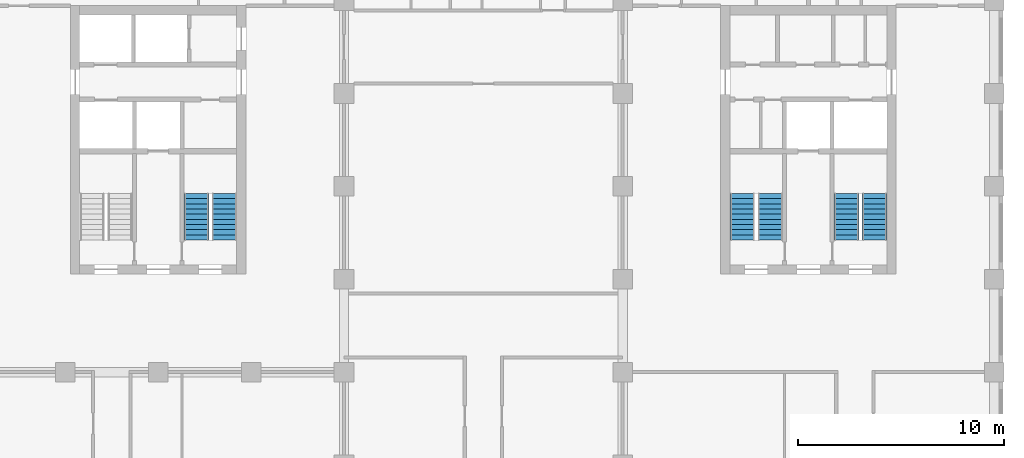
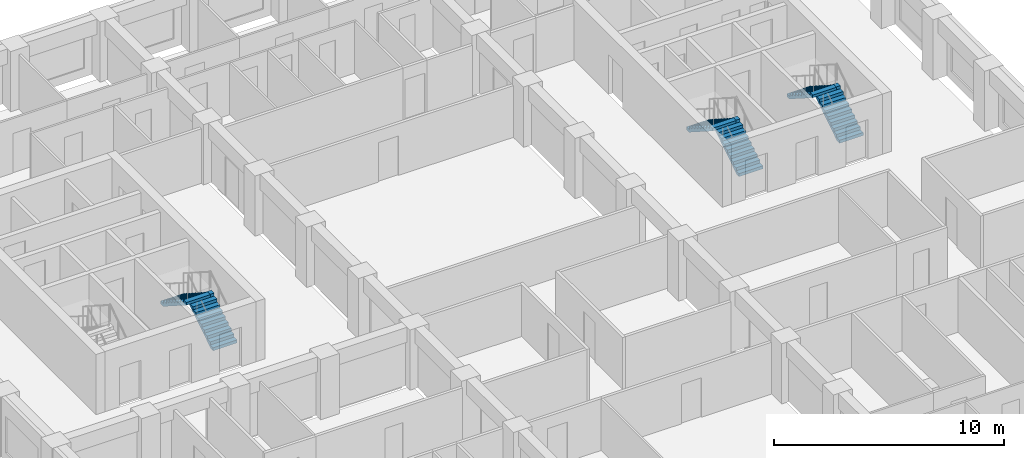
# One storey, part 10 of 13: 6 stair flights, 3 elements without a shape of their own.
"""IFC4 building model written with IfcOpenShell, lengths in metres."""

from ifc_helpers import new_model, si_unit, direction, frame, origin, place, context, subcontext, project, spatial, polyline, outline, extrude, material, type_object, element, aggregate, save


model = new_model("IFC4")

# Units and contexts
model_context = context("Model", 3, precision=1e-05, world=origin(), true_north=direction((0.0, 1.0)))
body_context = subcontext(model_context, "Body", "Model", "MODEL_VIEW")
ifc_project = project(units=[si_unit("LENGTHUNIT", "METRE"), si_unit("AREAUNIT", "SQUARE_METRE"), si_unit("VOLUMEUNIT", "CUBIC_METRE"), si_unit("PLANEANGLEUNIT", "RADIAN"), si_unit("MASSUNIT", "GRAM", prefix="KILO")], contexts=[model_context])

# Site, building, storey
site_placement = place(None, origin())
site = spatial("IfcSite", under=ifc_project, at=site_placement, CompositionType="ELEMENT")
building_placement = place(site_placement, origin())
building = spatial("IfcBuilding", under=site, at=building_placement, Name="Girih Gate Residences", CompositionType="ELEMENT")
storey_placement = place(building_placement, frame((0.0, 0.0, 136.60009765625)))
storey = spatial("IfcBuildingStorey", under=building, at=storey_placement, Name="L38", CompositionType="ELEMENT", Elevation=136.60009765625)

# Stair, stair flights
ifc_material = material(Name="Concrete C40/50", Category="concrete")
stair_type = type_object("IfcStairType", Name="Exit stair", PredefinedType="HALF_TURN_STAIR", material=ifc_material)
stair_1_placement = place(storey_placement, origin())
stair_1 = element("IfcStair", 1, at=stair_1_placement, inside=storey, type_object=stair_type, Name="L38 Exit Stair ST-W2", PredefinedType="HALF_TURN_STAIR")
stair_flight_type = type_object("IfcStairFlightType", Name="Stair flight 1200", PredefinedType="STRAIGHT", material=ifc_material)
stair_flight_1_placement = place(storey_placement, frame((12.199951171875, 28.89990234375, 0.0), z_axis=(0.0, 0.0, 1.0), x_axis=(0.0, 1.0, 0.0)))
stair_flight_1 = element("IfcStairFlight", 2, at=stair_flight_1_placement, type_object=stair_flight_type, Name="ST-W2 flight 1", NumberOfRisers=10, NumberOfTreads=9, PredefinedType="STRAIGHT", RiserHeight=0.16, TreadLength=0.25, context=body_context, shape_type="SweptSolid", body=[
    extrude(outline(polyline([(0.0, 0.0), (0.0, 0.159912109375), (0.25, 0.159912109375), (0.25, 0.320068359375), (0.5, 0.320068359375), (0.5, 0.47998046875), (0.75, 0.47998046875), (0.75, 0.639892578125), (1.0, 0.639892578125), (1.0, 0.800048828125), (1.25, 0.800048828125), (1.25, 0.9599609375), (1.5, 0.9599609375), (1.5, 1.1201171875), (1.75, 1.1201171875), (1.75, 1.280029296875), (2.0, 1.280029296875), (2.0, 1.43994140625), (2.25, 1.43994140625), (2.25, 1.60009765625), (2.25, 1.29736328125), (0.222900390625, 0.0), (0.0, 0.0)])), frame((0.0, 0.60009765625, 0.0), z_axis=(0.0, -1.0, 0.0), x_axis=(1.0, 0.0, 0.0)), (0.0, 0.0, 1.0), 1.199951171875),
])
stair_flight_2_placement = place(storey_placement, frame((10.85009765625, 31.14990234375, 1.599853515625), z_axis=(0.0, 0.0, 1.0), x_axis=(0.0, -1.0, 0.0)))
stair_flight_2 = element("IfcStairFlight", 3, at=stair_flight_2_placement, type_object=stair_flight_type, Name="ST-W2 flight 2", NumberOfRisers=10, NumberOfTreads=9, PredefinedType="STRAIGHT", RiserHeight=0.16, TreadLength=0.25, context=body_context, shape_type="SweptSolid", body=[
    extrude(outline(polyline([(0.0, 0.0), (0.0, 0.159912109375), (0.25, 0.159912109375), (0.25, 0.320068359375), (0.5, 0.320068359375), (0.5, 0.47998046875), (0.75, 0.47998046875), (0.75, 0.639892578125), (1.0, 0.639892578125), (1.0, 0.800048828125), (1.25, 0.800048828125), (1.25, 0.9599609375), (1.5, 0.9599609375), (1.5, 1.1201171875), (1.75, 1.1201171875), (1.75, 1.280029296875), (2.0, 1.280029296875), (2.0, 1.43994140625), (2.25, 1.43994140625), (2.25, 1.60009765625), (2.25, 1.29736328125), (0.222900390625, 0.0), (0.0, 0.0)])), frame((0.0, 0.60009765625, 0.0), z_axis=(0.0, -1.0, 0.0), x_axis=(1.0, 0.0, 0.0)), (0.0, 0.0, 1.0), 1.199951171875),
])
aggregate(stair_1, [stair_flight_1, stair_flight_2])

stair_2_placement = place(storey_placement, origin())
stair_2 = element("IfcStair", 4, at=stair_2_placement, inside=storey, type_object=stair_type, Name="L38 Exit Stair ST-E1", PredefinedType="HALF_TURN_STAIR")
stair_flight_3_placement = place(storey_placement, frame((43.699951171875, 28.89990234375, 0.0), z_axis=(0.0, 0.0, 1.0), x_axis=(0.0, 1.0, 0.0)))
stair_flight_3 = element("IfcStairFlight", 5, at=stair_flight_3_placement, type_object=stair_flight_type, Name="ST-E1 flight 1", NumberOfRisers=10, NumberOfTreads=9, PredefinedType="STRAIGHT", RiserHeight=0.16, TreadLength=0.25, context=body_context, shape_type="SweptSolid", body=[
    extrude(outline(polyline([(0.0, 0.0), (0.0, 0.159912109375), (0.25, 0.159912109375), (0.25, 0.320068359375), (0.5, 0.320068359375), (0.5, 0.47998046875), (0.75, 0.47998046875), (0.75, 0.639892578125), (1.0, 0.639892578125), (1.0, 0.800048828125), (1.25, 0.800048828125), (1.25, 0.9599609375), (1.5, 0.9599609375), (1.5, 1.1201171875), (1.75, 1.1201171875), (1.75, 1.280029296875), (2.0, 1.280029296875), (2.0, 1.43994140625), (2.25, 1.43994140625), (2.25, 1.60009765625), (2.25, 1.29736328125), (0.222900390625, 0.0), (0.0, 0.0)])), frame((0.0, 0.60009765625, 0.0), z_axis=(0.0, -1.0, 0.0), x_axis=(1.0, 0.0, 0.0)), (0.0, 0.0, 1.0), 1.199951171875),
])
stair_flight_4_placement = place(storey_placement, frame((42.35009765625, 31.14990234375, 1.599853515625), z_axis=(0.0, 0.0, 1.0), x_axis=(0.0, -1.0, 0.0)))
stair_flight_4 = element("IfcStairFlight", 6, at=stair_flight_4_placement, type_object=stair_flight_type, Name="ST-E1 flight 2", NumberOfRisers=10, NumberOfTreads=9, PredefinedType="STRAIGHT", RiserHeight=0.16, TreadLength=0.25, context=body_context, shape_type="SweptSolid", body=[
    extrude(outline(polyline([(0.0, 0.0), (0.0, 0.159912109375), (0.25, 0.159912109375), (0.25, 0.320068359375), (0.5, 0.320068359375), (0.5, 0.47998046875), (0.75, 0.47998046875), (0.75, 0.639892578125), (1.0, 0.639892578125), (1.0, 0.800048828125), (1.25, 0.800048828125), (1.25, 0.9599609375), (1.5, 0.9599609375), (1.5, 1.1201171875), (1.75, 1.1201171875), (1.75, 1.280029296875), (2.0, 1.280029296875), (2.0, 1.43994140625), (2.25, 1.43994140625), (2.25, 1.60009765625), (2.25, 1.29736328125), (0.222900390625, 0.0), (0.0, 0.0)])), frame((0.0, 0.60009765625, 0.0), z_axis=(0.0, -1.0, 0.0), x_axis=(1.0, 0.0, 0.0)), (0.0, 0.0, 1.0), 1.199951171875),
])
aggregate(stair_2, [stair_flight_3, stair_flight_4])

stair_3_placement = place(storey_placement, origin())
stair_3 = element("IfcStair", 7, at=stair_3_placement, inside=storey, type_object=stair_type, Name="L38 Exit Stair ST-E2", PredefinedType="HALF_TURN_STAIR")
stair_flight_5_placement = place(storey_placement, frame((38.64990234375, 28.89990234375, 0.0), z_axis=(0.0, 0.0, 1.0), x_axis=(0.0, 1.0, 0.0)))
stair_flight_5 = element("IfcStairFlight", 8, at=stair_flight_5_placement, type_object=stair_flight_type, Name="ST-E2 flight 1", NumberOfRisers=10, NumberOfTreads=9, PredefinedType="STRAIGHT", RiserHeight=0.16, TreadLength=0.25, context=body_context, shape_type="SweptSolid", body=[
    extrude(outline(polyline([(0.0, 0.0), (0.0, 0.159912109375), (0.25, 0.159912109375), (0.25, 0.320068359375), (0.5, 0.320068359375), (0.5, 0.47998046875), (0.75, 0.47998046875), (0.75, 0.639892578125), (1.0, 0.639892578125), (1.0, 0.800048828125), (1.25, 0.800048828125), (1.25, 0.9599609375), (1.5, 0.9599609375), (1.5, 1.1201171875), (1.75, 1.1201171875), (1.75, 1.280029296875), (2.0, 1.280029296875), (2.0, 1.43994140625), (2.25, 1.43994140625), (2.25, 1.60009765625), (2.25, 1.29736328125), (0.222900390625, 0.0), (0.0, 0.0)])), frame((0.0, 0.60009765625, 0.0), z_axis=(0.0, -1.0, 0.0), x_axis=(1.0, 0.0, 0.0)), (0.0, 0.0, 1.0), 1.199951171875),
])
stair_flight_6_placement = place(storey_placement, frame((37.300048828125, 31.14990234375, 1.599853515625), z_axis=(0.0, 0.0, 1.0), x_axis=(0.0, -1.0, 0.0)))
stair_flight_6 = element("IfcStairFlight", 9, at=stair_flight_6_placement, type_object=stair_flight_type, Name="ST-E2 flight 2", NumberOfRisers=10, NumberOfTreads=9, PredefinedType="STRAIGHT", RiserHeight=0.16, TreadLength=0.25, context=body_context, shape_type="SweptSolid", body=[
    extrude(outline(polyline([(0.0, 0.0), (0.0, 0.159912109375), (0.25, 0.159912109375), (0.25, 0.320068359375), (0.5, 0.320068359375), (0.5, 0.47998046875), (0.75, 0.47998046875), (0.75, 0.639892578125), (1.0, 0.639892578125), (1.0, 0.800048828125), (1.25, 0.800048828125), (1.25, 0.9599609375), (1.5, 0.9599609375), (1.5, 1.1201171875), (1.75, 1.1201171875), (1.75, 1.280029296875), (2.0, 1.280029296875), (2.0, 1.43994140625), (2.25, 1.43994140625), (2.25, 1.60009765625), (2.25, 1.29736328125), (0.222900390625, 0.0), (0.0, 0.0)])), frame((0.0, 0.60009765625, 0.0), z_axis=(0.0, -1.0, 0.0), x_axis=(1.0, 0.0, 0.0)), (0.0, 0.0, 1.0), 1.199951171875),
])
aggregate(stair_3, [stair_flight_5, stair_flight_6])

save(model, "model.ifc")
